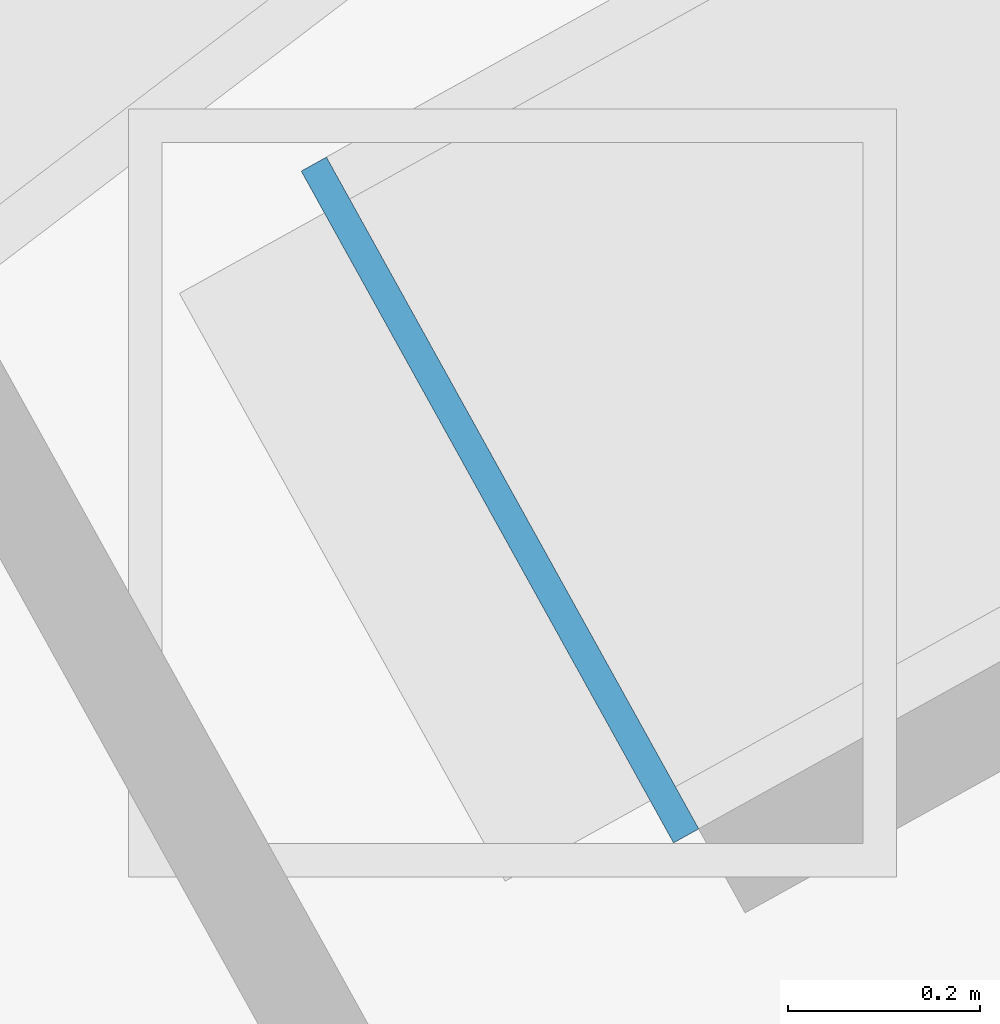
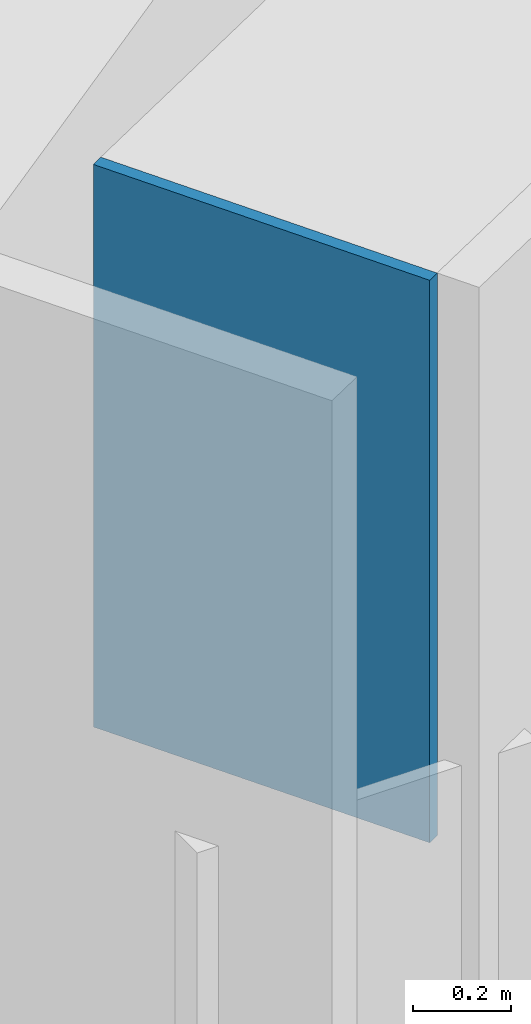
# One storey, part 13 of 25: 1 discrete accessory.
"""IFC4 building model written with IfcOpenShell, lengths in metres."""

from ifc_helpers import new_model, si_unit, direction, frame, origin, origin_2d, place, context, subcontext, project, spatial, rectangle, extrude, material, type_object, element, save


model = new_model("IFC4")

# Units and contexts
model_context = context("Model", 3, precision=1e-05, world=origin(), true_north=direction((0.0, 1.0)))
body_context = subcontext(model_context, "Body", "Model", "MODEL_VIEW")
ifc_project = project(units=[si_unit("LENGTHUNIT", "METRE"), si_unit("AREAUNIT", "SQUARE_METRE"), si_unit("VOLUMEUNIT", "CUBIC_METRE"), si_unit("PLANEANGLEUNIT", "RADIAN"), si_unit("MASSUNIT", "GRAM", prefix="KILO")], contexts=[model_context])

# Site, building, storey
site_placement = place(None, origin())
site = spatial("IfcSite", under=ifc_project, at=site_placement, CompositionType="ELEMENT")
building_placement = place(site_placement, origin())
building = spatial("IfcBuilding", under=site, at=building_placement, Name="Tuul Gate Civic Tower", CompositionType="ELEMENT")
storey_placement = place(building_placement, frame((0.0, 0.0, 60.89990234375)))
storey = spatial("IfcBuildingStorey", under=building, at=storey_placement, Name="Plant and refuge floor 2", CompositionType="ELEMENT", Elevation=60.89990234375)

# Discrete accessory
ifc_material = material(Name="Steel S355", Category="steel")
discrete_accessory_type = type_object("IfcDiscreteAccessoryType", Name="End cap plate", PredefinedType="BRACKET", material=ifc_material)
discrete_accessory_placement = place(storey_placement, frame((-40.4150390625, 1.86865234375, 2.800048828125), z_axis=(0.0, 0.0, 1.0), x_axis=(-0.87462518169, -0.484799743765, 0.0)))
element("IfcDiscreteAccessory", 1, at=discrete_accessory_placement, inside=storey, type_object=discrete_accessory_type, Name="End cap plate", PredefinedType="BRACKET", context=body_context, shape_type="SweptSolid", body=[
    extrude(rectangle(XDim=0.030029296875, YDim=0.800048828125, at=origin_2d()), origin(), (0.0, 0.0, 1.0), 1.39990234375),
])

save(model, "model.ifc")
